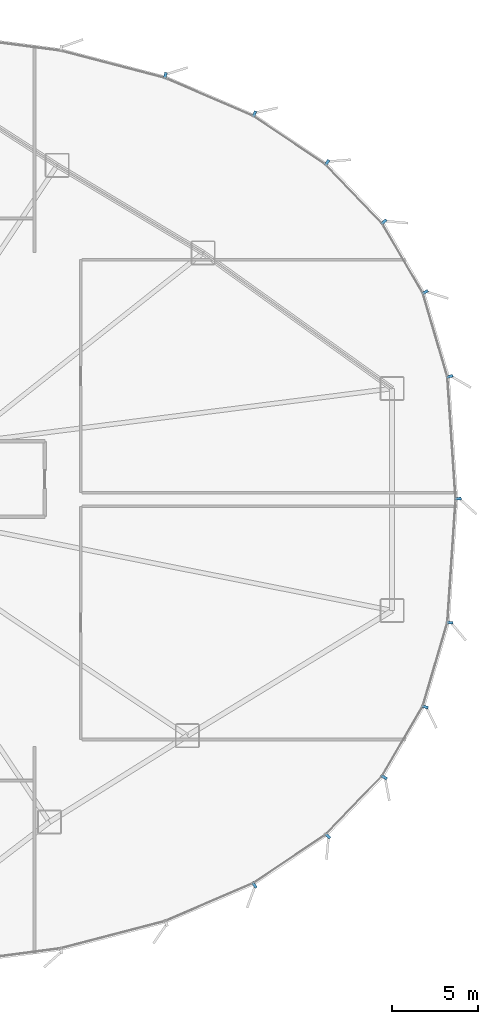
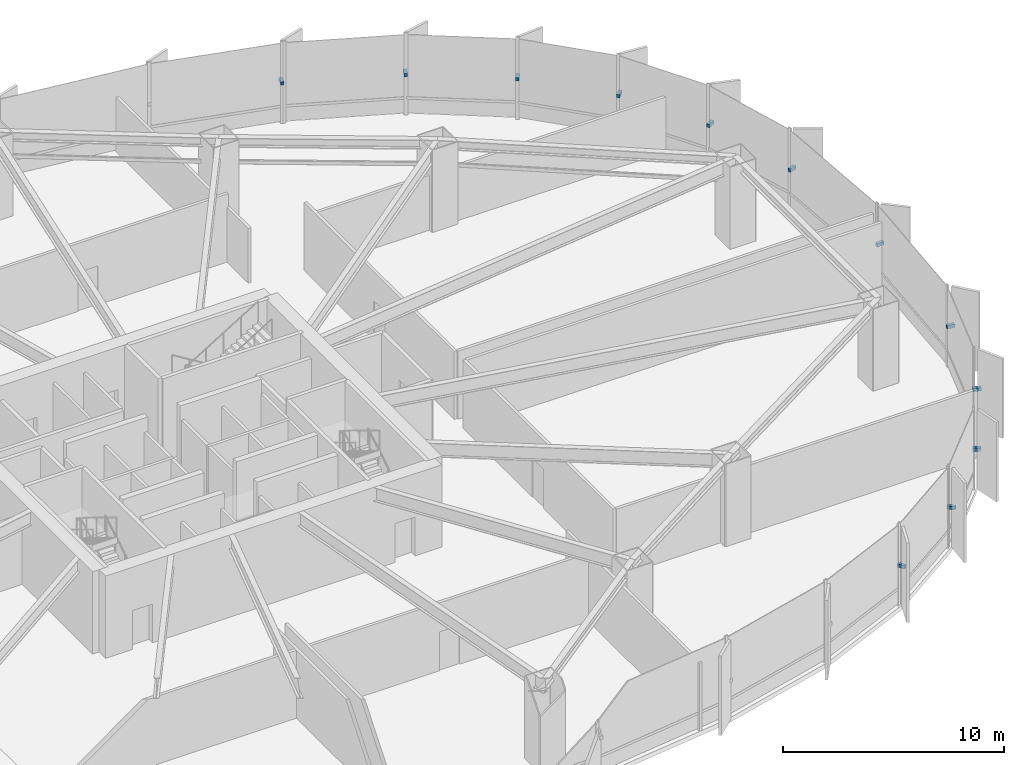
# One storey, part 28 of 34: 12 discrete accessories.
"""IFC4 building model written with IfcOpenShell, lengths in metres."""

import ifcopenshell
import ifcopenshell.guid

model = None  # the IFC model being written
_history = None  # IfcOwnerHistory: only IFC2X3 demands one
_inside = {}  # id of a spatial element -> (the spatial element, [elements in it])
_under = {}  # id of a project, library or spatial element -> (it, [spatial elements below it])
_declared = {}  # id of a project -> (the project, [libraries it declares])
_typed = {}  # id of a type object -> (the type object, [elements of that type])
_made_of = {}  # id of a material, layer set ... -> (it, [elements and type objects made of it])


def new_model(schema):
    """Start an empty IFC model of exactly this schema.

    Asked for "IFC4X3", IfcOpenShell would pick the latest addendum, in which some entities
    have other attributes; the version numbers below select the first issue.
    IFC2X3 requires an IfcOwnerHistory on every rooted entity: one is made here for all.
    """
    global model, _history
    if schema == "IFC4X3":
        model = ifcopenshell.file(schema_version=(4, 3, 0, 0))
    else:
        model = ifcopenshell.file(schema=schema)
    _inside.clear()
    _under.clear()
    _declared.clear()
    _typed.clear()
    _made_of.clear()
    _history = None
    if model.schema == "IFC2X3":
        org = make("IfcOrganization", Name="unknown")
        user = make(
            "IfcPersonAndOrganization",
            ThePerson=make("IfcPerson", FamilyName="unknown"),
            TheOrganization=org,
        )
        app = make(
            "IfcApplication",
            ApplicationDeveloper=org,
            Version="unknown",
            ApplicationFullName="unknown",
            ApplicationIdentifier="unknown",
        )
        _history = make(
            "IfcOwnerHistory",
            OwningUser=user,
            OwningApplication=app,
            ChangeAction="ADDED",
            CreationDate=0,
        )
    return model


def make(cls, **values):
    """One entity of the class cls with the attributes given. An attribute that is None is left unset."""
    return model.create_entity(
        cls, **{name: value for name, value in values.items() if value is not None}
    )


def rooted(cls, **values):
    """An entity with a GlobalId (a new one), such as an element, a storey or a relation."""
    return make(cls, GlobalId=ifcopenshell.guid.new(), OwnerHistory=_history, **values)


def si_unit(unit_type, name, prefix=None):
    """IfcSIUnit, for example si_unit("LENGTHUNIT", "METRE", prefix="MILLI")."""
    return make("IfcSIUnit", UnitType=unit_type, Prefix=prefix, Name=name)


def assignment(units):
    """IfcUnitAssignment: the units of a project."""
    return None if units is None else make("IfcUnitAssignment", Units=units)


def point(xyz):
    """IfcCartesianPoint."""
    return None if xyz is None else make("IfcCartesianPoint", Coordinates=xyz)


def direction(xyz):
    """IfcDirection."""
    return None if xyz is None else make("IfcDirection", DirectionRatios=xyz)


def frame(location, z_axis=None, x_axis=None):
    """IfcAxis2Placement3D, a coordinate frame: its origin and axes. An axis left out is left unset."""
    return make(
        "IfcAxis2Placement3D",
        Location=point(location),
        Axis=direction(z_axis),
        RefDirection=direction(x_axis),
    )


def frame_2d(location, x_axis=None):
    """IfcAxis2Placement2D, a coordinate frame in the plane: its origin and x axis."""
    return make(
        "IfcAxis2Placement2D", Location=point(location), RefDirection=direction(x_axis)
    )


def origin():
    """The frame at (0, 0, 0) with its axes left unset."""
    return frame((0.0, 0.0, 0.0))


def origin_2d():
    """The frame at (0, 0) in the plane with its x axis left unset."""
    return frame_2d((0.0, 0.0))


def place(relative_to, where):
    """IfcLocalPlacement: puts the frame where relative to a parent placement (None: the world)."""
    return make(
        "IfcLocalPlacement", PlacementRelTo=relative_to, RelativePlacement=where
    )


def context(
    kind, dimensions, precision=None, world=None, true_north=None, identifier=None
):
    """IfcGeometricRepresentationContext, for example the 3D "Model" context."""
    return make(
        "IfcGeometricRepresentationContext",
        ContextIdentifier=identifier,
        ContextType=kind,
        CoordinateSpaceDimension=dimensions,
        Precision=precision,
        WorldCoordinateSystem=world,
        TrueNorth=true_north,
    )


def subcontext(parent, identifier, kind, view, scale=None):
    """IfcGeometricRepresentationSubContext, for example "Body" below "Model"."""
    return make(
        "IfcGeometricRepresentationSubContext",
        ContextIdentifier=identifier,
        ContextType=kind,
        ParentContext=parent,
        TargetScale=scale,
        TargetView=view,
    )


def project(units=None, contexts=None):
    """IfcProject with its units and contexts."""
    return rooted(
        "IfcProject",
        Name="project",
        RepresentationContexts=contexts,
        UnitsInContext=assignment(units),
    )


def spatial(cls, under=None, at=None, **own):
    """A site, building, storey or space (cls), placed at a placement, below another one or the project."""
    s = rooted(cls, ObjectPlacement=at, **own)
    if under is not None:
        _under.setdefault(under.id(), (under, []))[1].append(s)
    return s


def profile(cls, at=None, kind="AREA", **sizes):
    """A parametric profile (cls). Its sizes go by their IFC names, for example OverallWidth=200.0."""
    return make(cls, ProfileType=kind, Position=at, **sizes)


def rectangle(**sizes):
    """IfcRectangleProfileDef."""
    return profile("IfcRectangleProfileDef", **sizes)


def extrude(swept, where, along, depth):
    """IfcExtrudedAreaSolid: the profile swept, set in the frame where, extruded along a direction by depth."""
    return make(
        "IfcExtrudedAreaSolid",
        SweptArea=swept,
        Position=where,
        ExtrudedDirection=direction(along),
        Depth=depth,
    )


def shape(context_of_items, identifier, shape_type, items):
    """IfcShapeRepresentation: the items that make up one representation, for example the "Body"."""
    return make(
        "IfcShapeRepresentation",
        ContextOfItems=context_of_items,
        RepresentationIdentifier=identifier,
        RepresentationType=shape_type,
        Items=items,
    )


def source(mapping_origin, context_of_items, identifier, shape_type, items):
    """IfcRepresentationMap: a shape defined once, which mapped items show again and again."""
    return make(
        "IfcRepresentationMap",
        MappingOrigin=mapping_origin,
        MappedRepresentation=shape(context_of_items, identifier, shape_type, items),
    )


def transform(
    local_origin,
    x_axis=None,
    y_axis=None,
    z_axis=None,
    scale=None,
    scale2=None,
    scale3=None,
    uniform=True,
):
    """IfcCartesianTransformationOperator3D, or its non-uniform kind. x_axis, y_axis, z_axis: its Axis1, 2, 3."""
    if uniform:
        return make(
            "IfcCartesianTransformationOperator3D",
            Axis1=direction(x_axis),
            Axis2=direction(y_axis),
            LocalOrigin=point(local_origin),
            Scale=scale,
            Axis3=direction(z_axis),
        )
    return make(
        "IfcCartesianTransformationOperator3DnonUniform",
        Axis1=direction(x_axis),
        Axis2=direction(y_axis),
        LocalOrigin=point(local_origin),
        Scale=scale,
        Axis3=direction(z_axis),
        Scale2=scale2,
        Scale3=scale3,
    )


def mapped(mapping_source, mapping_target):
    """IfcMappedItem: shows the shape of a source again, moved by a transform."""
    return make(
        "IfcMappedItem", MappingSource=mapping_source, MappingTarget=mapping_target
    )


def material(Name=None, Category=None):
    """IfcMaterial."""
    return make("IfcMaterial", Name=Name, Category=Category)


def made_of(thing, what):
    """Note that an element or type object is made of a material, layer set ...; save() writes the relation."""
    if what is not None:
        _made_of.setdefault(what.id(), (what, []))[1].append(thing)
    return thing


def type_object(cls, material=None, **own):
    """A type object (cls), such as IfcWallType, which elements share."""
    return made_of(rooted(cls, **own), material)


def element(
    cls,
    number,
    at=None,
    inside=None,
    cuts=None,
    type_object=None,
    material=None,
    context=None,
    identifier="Body",
    shape_type=None,
    held_by="IfcProductDefinitionShape",
    body=None,
    shapes=None,
    **own,
):
    """One element of the class cls, such as IfcWall. Its Tag is "e" and its number.

    at: its placement. inside: the storey or other place that contains it. cuts: it is an
    opening in that element (IfcRelVoidsElement). A single representation is given by context,
    identifier, shape_type and body (its items); several are given by shapes. held_by: the class
    of the entity that holds the representations. save() writes the other relations.
    """
    e = rooted(cls, Tag="e%d" % number, ObjectPlacement=at, **own)
    if body is not None:
        shapes = [shape(context, identifier, shape_type, body)]
    if shapes is not None:
        e.Representation = make(held_by, Representations=shapes)
    if inside is not None:
        _inside.setdefault(inside.id(), (inside, []))[1].append(e)
    if cuts is not None:
        rooted(
            "IfcRelVoidsElement", RelatingBuildingElement=cuts, RelatedOpeningElement=e
        )
    if type_object is not None:
        _typed.setdefault(type_object.id(), (type_object, []))[1].append(e)
    return made_of(e, material)


def aggregate(whole, parts):
    """IfcRelAggregates: a whole, such as a stair, and the parts it consists of."""
    return rooted("IfcRelAggregates", RelatingObject=whole, RelatedObjects=parts)


def save(model, path):
    """Write the relations noted so far, then the file.

    IfcRelAggregates (storeys below a building ...), IfcRelContainedInSpatialStructure (elements
    in a storey), IfcRelDefinesByType, IfcRelAssociatesMaterial and IfcRelDeclares: one each for
    every whole, place, type object, material and project.
    """
    for whole, parts in _under.values():
        aggregate(whole, parts)
    for where, things in _inside.values():
        rooted(
            "IfcRelContainedInSpatialStructure",
            RelatedElements=things,
            RelatingStructure=where,
        )
    for kind, things in _typed.values():
        rooted("IfcRelDefinesByType", RelatedObjects=things, RelatingType=kind)
    for what, things in _made_of.values():
        rooted("IfcRelAssociatesMaterial", RelatedObjects=things, RelatingMaterial=what)
    for by, libraries in _declared.values():
        rooted("IfcRelDeclares", RelatingContext=by, RelatedDefinitions=libraries)
    model.write(path)


model = new_model("IFC4")

# Units and contexts
model_context = context("Model", 3, precision=1e-05, world=origin(), true_north=direction((0.0, 1.0)))
body_context = subcontext(model_context, "Body", "Model", "MODEL_VIEW")
ifc_project = project(units=[si_unit("LENGTHUNIT", "METRE"), si_unit("AREAUNIT", "SQUARE_METRE"), si_unit("VOLUMEUNIT", "CUBIC_METRE"), si_unit("PLANEANGLEUNIT", "RADIAN"), si_unit("MASSUNIT", "GRAM", prefix="KILO"), si_unit("THERMODYNAMICTEMPERATUREUNIT", "KELVIN")], contexts=[model_context])

# Site, building, storey
site_placement = place(None, origin())
site = spatial("IfcSite", under=ifc_project, at=site_placement, CompositionType="ELEMENT")
building_placement = place(site_placement, origin())
building = spatial("IfcBuilding", under=site, at=building_placement, Name="Kethvar Cultural Tower", CompositionType="ELEMENT")
storey_placement = place(building_placement, frame((0.0, 0.0, 5.199951171875)))
storey = spatial("IfcBuildingStorey", under=building, at=storey_placement, Name="L01", CompositionType="ELEMENT", Elevation=5.199951171875)

# Discrete accessories
ifc_material = material(Name="Steel S355J2", Category="steel")
discrete_accessory_type = type_object("IfcDiscreteAccessoryType", Name="Steel Fin Bracket BRK-01", PredefinedType="BRACKET", material=ifc_material)
shared_shape = source(origin(), body_context, "Body", "SweptSolid", [
    extrude(rectangle(XDim=0.3798828125, YDim=0.159912109375, at=origin_2d()), origin(), (0.0, 0.0, 1.0), 0.179931640625),
])
for number, where, z_axis, x_axis, name in (
    (1, (83.206787109375, 27.849365234375, 2.1298828125), (0.0, 0.0, 1.0), (0.997754957227, 0.066970481029, 0.0), "L01 Terracotta Fin Bracket 1.1"),
    (2, (82.727294921875, 34.9814453125, 2.1298828125), (0.0, 0.0, 1.0), (0.959510852267, 0.281671660596, 0.0), "L01 Terracotta Fin Bracket 1.2"),
    (3, (81.28369140625, 39.896728515625, 2.1298828125), (0.0, 0.0, 1.0), (0.864011302865, 0.503472410885, 0.0), "L01 Terracotta Fin Bracket 1.3"),
    (4, (78.8916015625, 44.000732421875, 2.1298828125), (0.0, 0.0, 1.0), (0.72055111168, 0.693401828276, 0.0), "L01 Terracotta Fin Bracket 1.4"),
    (5, (75.568603515625, 47.4541015625, 2.1298828125), (0.0, 0.0, 1.0), (0.556585649903, 0.83079023485, 0.0), "L01 Terracotta Fin Bracket 1.5"),
    (6, (71.330322265625, 50.293212890625, 2.1298828125), (0.0, 0.0, 1.0), (0.396346847517, 0.9181008531, 0.0), "L01 Terracotta Fin Bracket 1.6"),
    (7, (66.128662109375, 52.531005859375, 2.1298828125), (0.0, 0.0, 1.0), (0.253082602519, 0.96744467351, 0.0), "L01 Terracotta Fin Bracket 2.1"),
    (8, (71.331787109375, 5.3076171875, 2.1298828125), (0.0, 0.0, 1.0), (0.556585649903, -0.83079023485, 0.0), "L01 Terracotta Fin Bracket 5.6"),
    (9, (75.60400390625, 8.182373046875, 2.1298828125), (0.0, 0.0, 1.0), (0.72055111168, -0.693401828276, 0.0), "L01 Terracotta Fin Bracket 6.1"),
    (10, (78.893310546875, 11.601318359375, 2.1298828125), (0.0, 0.0, 1.0), (0.864011302865, -0.503472410885, 0.0), "L01 Terracotta Fin Bracket 6.2"),
    (11, (81.28466796875, 15.70556640625, 2.1298828125), (0.0, 0.0, 1.0), (0.959510852267, -0.281671660596, 0.0), "L01 Terracotta Fin Bracket 6.3"),
    (12, (82.727783203125, 20.62060546875, 2.1298828125), (0.0, 0.0, 1.0), (0.997754957227, -0.066970481029, 0.0), "L01 Terracotta Fin Bracket 6.4"),
):
    element("IfcDiscreteAccessory", number, at=place(storey_placement, frame(where, z_axis=z_axis, x_axis=x_axis)), inside=storey, type_object=discrete_accessory_type, Name=name, PredefinedType="BRACKET", context=body_context, shape_type="MappedRepresentation", body=[
        mapped(shared_shape, transform((0.0, 0.0, 0.0), scale=1.0)),
    ])

save(model, "model.ifc")
